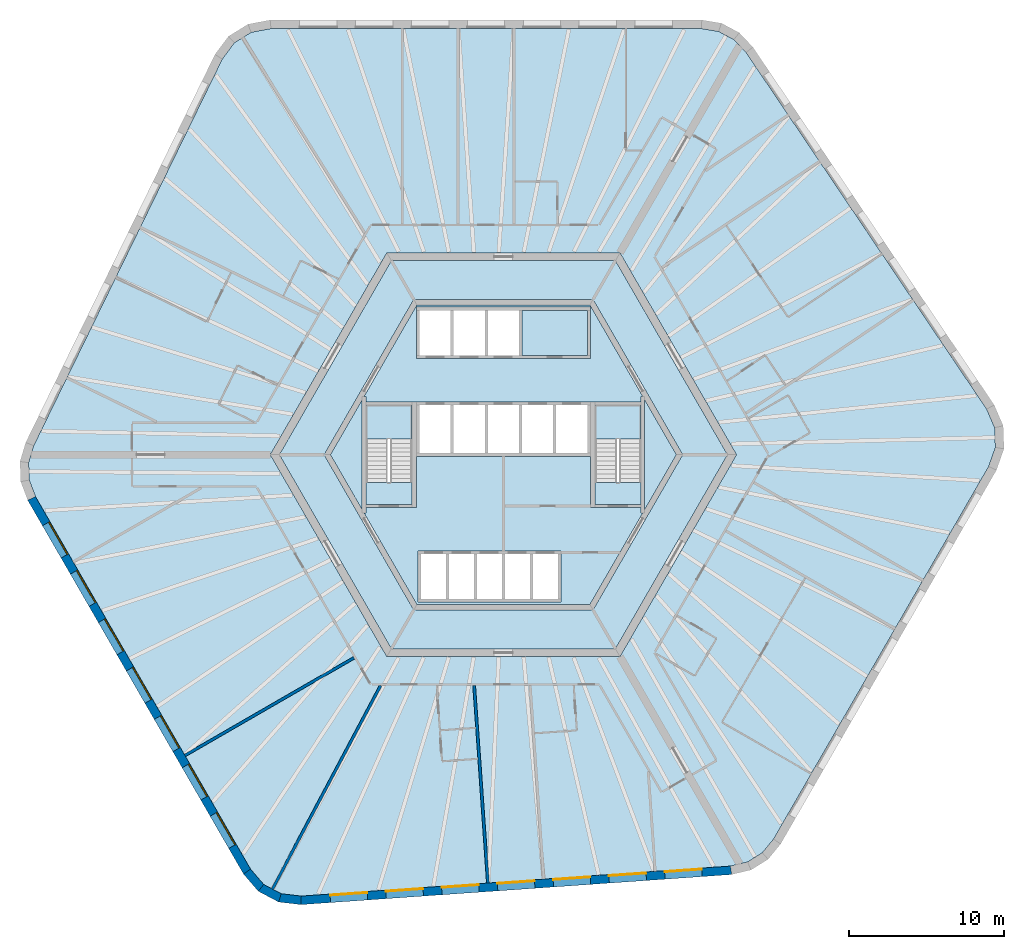
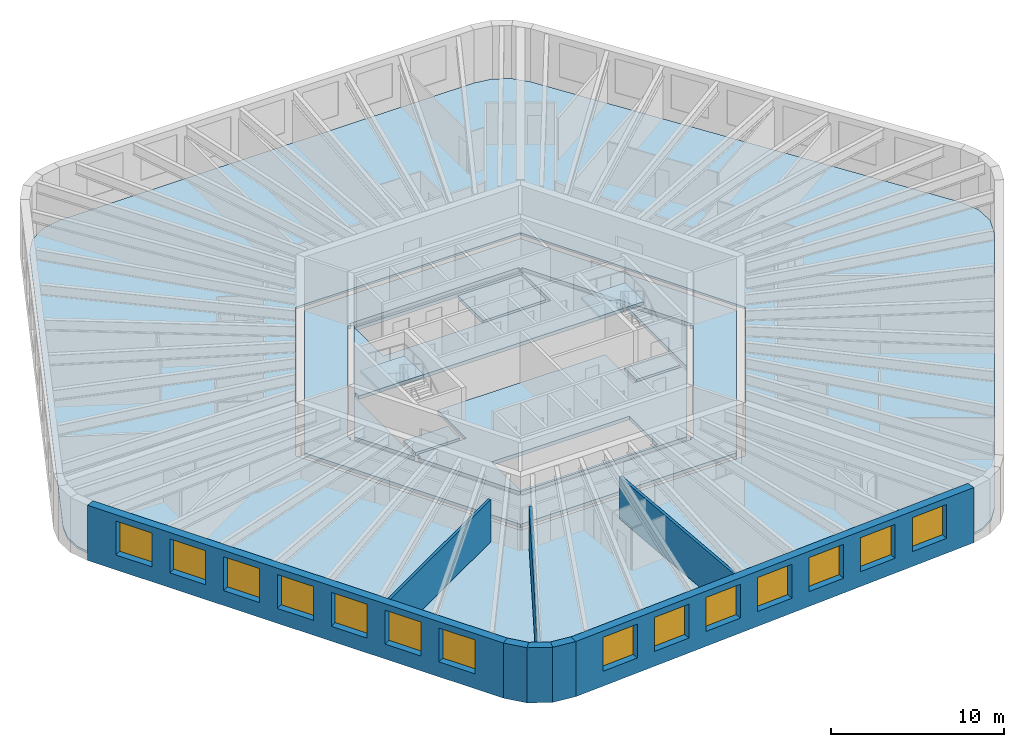
# One storey, part 2 of 9: 14 windows, 11 slabs, 8 walls, 14 openings, 2 elements without a shape of their own.
"""IFC4 building model written with IfcOpenShell, lengths in metres."""

import ifcopenshell
import ifcopenshell.guid

model = None  # the IFC model being written
_history = None  # IfcOwnerHistory: only IFC2X3 demands one
_inside = {}  # id of a spatial element -> (the spatial element, [elements in it])
_under = {}  # id of a project, library or spatial element -> (it, [spatial elements below it])
_declared = {}  # id of a project -> (the project, [libraries it declares])
_typed = {}  # id of a type object -> (the type object, [elements of that type])
_made_of = {}  # id of a material, layer set ... -> (it, [elements and type objects made of it])


def new_model(schema):
    """Start an empty IFC model of exactly this schema.

    Asked for "IFC4X3", IfcOpenShell would pick the latest addendum, in which some entities
    have other attributes; the version numbers below select the first issue.
    IFC2X3 requires an IfcOwnerHistory on every rooted entity: one is made here for all.
    """
    global model, _history
    if schema == "IFC4X3":
        model = ifcopenshell.file(schema_version=(4, 3, 0, 0))
    else:
        model = ifcopenshell.file(schema=schema)
    _inside.clear()
    _under.clear()
    _declared.clear()
    _typed.clear()
    _made_of.clear()
    _history = None
    if model.schema == "IFC2X3":
        org = make("IfcOrganization", Name="unknown")
        user = make(
            "IfcPersonAndOrganization",
            ThePerson=make("IfcPerson", FamilyName="unknown"),
            TheOrganization=org,
        )
        app = make(
            "IfcApplication",
            ApplicationDeveloper=org,
            Version="unknown",
            ApplicationFullName="unknown",
            ApplicationIdentifier="unknown",
        )
        _history = make(
            "IfcOwnerHistory",
            OwningUser=user,
            OwningApplication=app,
            ChangeAction="ADDED",
            CreationDate=0,
        )
    return model


def make(cls, **values):
    """One entity of the class cls with the attributes given. An attribute that is None is left unset."""
    return model.create_entity(
        cls, **{name: value for name, value in values.items() if value is not None}
    )


def rooted(cls, **values):
    """An entity with a GlobalId (a new one), such as an element, a storey or a relation."""
    return make(cls, GlobalId=ifcopenshell.guid.new(), OwnerHistory=_history, **values)


def si_unit(unit_type, name, prefix=None):
    """IfcSIUnit, for example si_unit("LENGTHUNIT", "METRE", prefix="MILLI")."""
    return make("IfcSIUnit", UnitType=unit_type, Prefix=prefix, Name=name)


def assignment(units):
    """IfcUnitAssignment: the units of a project."""
    return None if units is None else make("IfcUnitAssignment", Units=units)


def point(xyz):
    """IfcCartesianPoint."""
    return None if xyz is None else make("IfcCartesianPoint", Coordinates=xyz)


def direction(xyz):
    """IfcDirection."""
    return None if xyz is None else make("IfcDirection", DirectionRatios=xyz)


def frame(location, z_axis=None, x_axis=None):
    """IfcAxis2Placement3D, a coordinate frame: its origin and axes. An axis left out is left unset."""
    return make(
        "IfcAxis2Placement3D",
        Location=point(location),
        Axis=direction(z_axis),
        RefDirection=direction(x_axis),
    )


def frame_2d(location, x_axis=None):
    """IfcAxis2Placement2D, a coordinate frame in the plane: its origin and x axis."""
    return make(
        "IfcAxis2Placement2D", Location=point(location), RefDirection=direction(x_axis)
    )


def origin():
    """The frame at (0, 0, 0) with its axes left unset."""
    return frame((0.0, 0.0, 0.0))


def place(relative_to, where):
    """IfcLocalPlacement: puts the frame where relative to a parent placement (None: the world)."""
    return make(
        "IfcLocalPlacement", PlacementRelTo=relative_to, RelativePlacement=where
    )


def context(
    kind, dimensions, precision=None, world=None, true_north=None, identifier=None
):
    """IfcGeometricRepresentationContext, for example the 3D "Model" context."""
    return make(
        "IfcGeometricRepresentationContext",
        ContextIdentifier=identifier,
        ContextType=kind,
        CoordinateSpaceDimension=dimensions,
        Precision=precision,
        WorldCoordinateSystem=world,
        TrueNorth=true_north,
    )


def subcontext(parent, identifier, kind, view, scale=None):
    """IfcGeometricRepresentationSubContext, for example "Body" below "Model"."""
    return make(
        "IfcGeometricRepresentationSubContext",
        ContextIdentifier=identifier,
        ContextType=kind,
        ParentContext=parent,
        TargetScale=scale,
        TargetView=view,
    )


def project(units=None, contexts=None):
    """IfcProject with its units and contexts."""
    return rooted(
        "IfcProject",
        Name="project",
        RepresentationContexts=contexts,
        UnitsInContext=assignment(units),
    )


def spatial(cls, under=None, at=None, **own):
    """A site, building, storey or space (cls), placed at a placement, below another one or the project."""
    s = rooted(cls, ObjectPlacement=at, **own)
    if under is not None:
        _under.setdefault(under.id(), (under, []))[1].append(s)
    return s


def polyline(points):
    """IfcPolyline through the points."""
    return make("IfcPolyline", Points=[point(p) for p in points])


def profile(cls, at=None, kind="AREA", **sizes):
    """A parametric profile (cls). Its sizes go by their IFC names, for example OverallWidth=200.0."""
    return make(cls, ProfileType=kind, Position=at, **sizes)


def rectangle(**sizes):
    """IfcRectangleProfileDef."""
    return profile("IfcRectangleProfileDef", **sizes)


def outline(outer, holes=None, kind="AREA"):
    """IfcArbitraryClosedProfileDef: a profile drawn as a closed curve; with holes, ...WithVoids."""
    if holes is None:
        return make("IfcArbitraryClosedProfileDef", ProfileType=kind, OuterCurve=outer)
    return make(
        "IfcArbitraryProfileDefWithVoids",
        ProfileType=kind,
        OuterCurve=outer,
        InnerCurves=holes,
    )


def extrude(swept, where, along, depth):
    """IfcExtrudedAreaSolid: the profile swept, set in the frame where, extruded along a direction by depth."""
    return make(
        "IfcExtrudedAreaSolid",
        SweptArea=swept,
        Position=where,
        ExtrudedDirection=direction(along),
        Depth=depth,
    )


def shape(context_of_items, identifier, shape_type, items):
    """IfcShapeRepresentation: the items that make up one representation, for example the "Body"."""
    return make(
        "IfcShapeRepresentation",
        ContextOfItems=context_of_items,
        RepresentationIdentifier=identifier,
        RepresentationType=shape_type,
        Items=items,
    )


def material(Name=None, Category=None):
    """IfcMaterial."""
    return make("IfcMaterial", Name=Name, Category=Category)


def layer(
    of_material, thickness, ventilated=None, Name=None, Category=None, Priority=None
):
    """IfcMaterialLayer: one layer of a wall or slab, of a material (None: an air gap)."""
    return make(
        "IfcMaterialLayer",
        Material=of_material,
        LayerThickness=thickness,
        IsVentilated=ventilated,
        Name=Name,
        Category=Category,
        Priority=Priority,
    )


def layer_set(layers, Name=None):
    """IfcMaterialLayerSet."""
    return make("IfcMaterialLayerSet", MaterialLayers=layers, LayerSetName=Name)


def made_of(thing, what):
    """Note that an element or type object is made of a material, layer set ...; save() writes the relation."""
    if what is not None:
        _made_of.setdefault(what.id(), (what, []))[1].append(thing)
    return thing


def type_object(cls, material=None, **own):
    """A type object (cls), such as IfcWallType, which elements share."""
    return made_of(rooted(cls, **own), material)


def element(
    cls,
    number,
    at=None,
    inside=None,
    cuts=None,
    type_object=None,
    material=None,
    context=None,
    identifier="Body",
    shape_type=None,
    held_by="IfcProductDefinitionShape",
    body=None,
    shapes=None,
    **own,
):
    """One element of the class cls, such as IfcWall. Its Tag is "e" and its number.

    at: its placement. inside: the storey or other place that contains it. cuts: it is an
    opening in that element (IfcRelVoidsElement). A single representation is given by context,
    identifier, shape_type and body (its items); several are given by shapes. held_by: the class
    of the entity that holds the representations. save() writes the other relations.
    """
    e = rooted(cls, Tag="e%d" % number, ObjectPlacement=at, **own)
    if body is not None:
        shapes = [shape(context, identifier, shape_type, body)]
    if shapes is not None:
        e.Representation = make(held_by, Representations=shapes)
    if inside is not None:
        _inside.setdefault(inside.id(), (inside, []))[1].append(e)
    if cuts is not None:
        rooted(
            "IfcRelVoidsElement", RelatingBuildingElement=cuts, RelatedOpeningElement=e
        )
    if type_object is not None:
        _typed.setdefault(type_object.id(), (type_object, []))[1].append(e)
    return made_of(e, material)


def fill(opening, filler):
    """IfcRelFillsElement: the door or window that sits in an opening."""
    return rooted(
        "IfcRelFillsElement",
        RelatingOpeningElement=opening,
        RelatedBuildingElement=filler,
    )


def aggregate(whole, parts):
    """IfcRelAggregates: a whole, such as a stair, and the parts it consists of."""
    return rooted("IfcRelAggregates", RelatingObject=whole, RelatedObjects=parts)


def save(model, path):
    """Write the relations noted so far, then the file.

    IfcRelAggregates (storeys below a building ...), IfcRelContainedInSpatialStructure (elements
    in a storey), IfcRelDefinesByType, IfcRelAssociatesMaterial and IfcRelDeclares: one each for
    every whole, place, type object, material and project.
    """
    for whole, parts in _under.values():
        aggregate(whole, parts)
    for where, things in _inside.values():
        rooted(
            "IfcRelContainedInSpatialStructure",
            RelatedElements=things,
            RelatingStructure=where,
        )
    for kind, things in _typed.values():
        rooted("IfcRelDefinesByType", RelatedObjects=things, RelatingType=kind)
    for what, things in _made_of.values():
        rooted("IfcRelAssociatesMaterial", RelatedObjects=things, RelatingMaterial=what)
    for by, libraries in _declared.values():
        rooted("IfcRelDeclares", RelatingContext=by, RelatedDefinitions=libraries)
    model.write(path)


model = new_model("IFC4")

# Units and contexts
model_context = context("Model", 3, precision=1e-05, world=origin(), true_north=direction((0.0, 1.0)))
body_context = subcontext(model_context, "Body", "Model", "MODEL_VIEW")
ifc_project = project(units=[si_unit("LENGTHUNIT", "METRE"), si_unit("AREAUNIT", "SQUARE_METRE"), si_unit("VOLUMEUNIT", "CUBIC_METRE"), si_unit("PLANEANGLEUNIT", "RADIAN"), si_unit("MASSUNIT", "GRAM", prefix="KILO")], contexts=[model_context])

# Site, building, storey
site_placement = place(None, origin())
site = spatial("IfcSite", under=ifc_project, at=site_placement, CompositionType="ELEMENT")
building_placement = place(site_placement, origin())
building = spatial("IfcBuilding", under=site, at=building_placement, Name="Tarnside Tower", CompositionType="ELEMENT")
storey_placement = place(building_placement, frame((0.0, 0.0, 219.0)))
storey = spatial("IfcBuildingStorey", under=building, at=storey_placement, Name="L52", CompositionType="ELEMENT", Elevation=219.0)

# Slabs
ifc_material_1 = material(Name="Concrete C35/45", Category="concrete")
ifc_layer_1 = layer(ifc_material_1, 0.14990234375)
ifc_layer_set_1 = layer_set([ifc_layer_1], Name="Composite floor slab 150")
slab_type_1 = type_object("IfcSlabType", Name="Composite floor slab 150", PredefinedType="FLOOR", material=ifc_layer_set_1)
slab_1_placement = place(storey_placement, frame((0.0, 0.0, -0.14990234375)))
element("IfcSlab", 1, at=slab_1_placement, inside=storey, type_object=slab_type_1, Name="Floor slab L52", PredefinedType="FLOOR", context=body_context, shape_type="SweptSolid", body=[
    extrude(outline(polyline([(13.864013671875, 27.264892578125), (14.85107421875, 26.740234375), (15.6337890625, 25.91064453125), (31.12890625, 2.938232421875), (31.644287109375, 1.7431640625), (31.68896484375, 0.468505859375), (31.258056640625, -0.759521484375), (17.403076171875, -24.7568359375), (16.68017578125, -25.63916015625), (15.732177734375, -26.2314453125), (14.622314453125, -26.494384765625), (-13.02001953125, -28.427490234375), (-14.3125, -28.2763671875), (-15.438720703125, -27.677490234375), (-16.286865234375, -26.6904296875), (-30.1416015625, -2.693115234375), (-30.544189453125, -1.6259765625), (-30.583251953125, -0.5087890625), (-30.256103515625, 0.583984375), (-18.10888671875, 25.4892578125), (-17.331787109375, 26.533203125), (-16.250244140625, 27.208984375), (-14.97119140625, 27.449951171875), (12.738525390625, 27.449951171875), (13.864013671875, 27.264892578125)]), holes=[polyline([(-15.010986328125, 0.0), (-7.505615234375, -13.0), (7.505615234375, -13.0), (15.010986328125, 0.0), (7.505615234375, 13.0), (-7.505615234375, 13.0), (-15.010986328125, 0.0)])]), origin(), (0.0, 0.0, 1.0), 0.14990234375),
])
ifc_material_2 = material(Name="Concrete C40/50", Category="concrete")
ifc_layer_2 = layer(ifc_material_2, 0.25)
ifc_layer_set_2 = layer_set([ifc_layer_2], Name="Core slab C40/50")
slab_type_2 = type_object("IfcSlabType", Name="Core slab C40/50", PredefinedType="FLOOR", material=ifc_layer_set_2)
slab_2_placement = place(storey_placement, frame((0.0, 0.0, -0.25)))
element("IfcSlab", 2, at=slab_2_placement, inside=storey, type_object=slab_type_2, Name="L52 core floor slab 1", PredefinedType="FLOOR", context=body_context, shape_type="SweptSolid", body=[
    extrude(outline(polyline([(-7.216796875, 12.5), (7.216796875, 12.5), (14.433837890625, 0.0), (7.216796875, -12.5), (-7.216796875, -12.5), (-14.433837890625, 0.0), (-7.216796875, 12.5)]), holes=[polyline([(5.823974609375, -9.91259765625), (11.49658203125, -0.08740234375), (11.344970703125, 0.0), (11.49658203125, 0.08740234375), (5.823974609375, 9.91259765625), (5.672607421875, 9.824951171875), (5.672607421875, 10.0), (-5.672607421875, 10.0), (-5.672607421875, 9.824951171875), (-5.823974609375, 9.91259765625), (-11.49658203125, 0.08740234375), (-11.344970703125, 0.0), (-11.49658203125, -0.08740234375), (-5.823974609375, -9.91259765625), (-5.672607421875, -9.824951171875), (-5.672607421875, -10.0), (5.672607421875, -10.0), (5.672607421875, -9.824951171875), (5.823974609375, -9.91259765625)])]), origin(), (0.0, 0.0, 1.0), 0.25),
])
slab_3_placement = place(storey_placement, frame((0.0, 0.0, -0.25)))
element("IfcSlab", 3, at=slab_3_placement, inside=storey, type_object=slab_type_2, Name="L52 core floor slab 2", PredefinedType="FLOOR", context=body_context, shape_type="SweptSolid", body=[
    extrude(outline(polyline([(-8.97509765625, 3.7548828125), (-5.5712890625, 9.64990234375), (5.5712890625, 9.64990234375), (8.97509765625, 3.7548828125), (8.85009765625, 3.7548828125), (8.85009765625, 3.39990234375), (5.89990234375, 3.39990234375), (5.60009765625, 3.39990234375), (5.60009765625, 3.39990234375), (-5.60009765625, 3.39990234375), (-5.89990234375, 3.39990234375), (-8.85009765625, 3.39990234375), (-8.85009765625, 3.7548828125), (-8.97509765625, 3.7548828125)]), holes=[polyline([(-5.60009765625, 6.199951171875), (5.60009765625, 6.199951171875), (5.60009765625, 6.39990234375), (5.60009765625, 9.300048828125), (5.60009765625, 9.5), (-5.60009765625, 9.5), (-5.60009765625, 9.300048828125), (-5.60009765625, 6.39990234375), (-5.60009765625, 6.199951171875)])]), origin(), (0.0, 0.0, 1.0), 0.25),
])
slab_4_placement = place(storey_placement, frame((0.0, 0.0, -0.25)))
element("IfcSlab", 4, at=slab_4_placement, inside=storey, type_object=slab_type_2, Name="L52 core floor slab 3", PredefinedType="FLOOR", context=body_context, shape_type="SweptSolid", body=[
    extrude(outline(polyline([(5.60009765625, -3.39990234375), (5.89990234375, -3.39990234375), (8.85009765625, -3.39990234375), (8.85009765625, -3.7548828125), (8.97509765625, -3.7548828125), (5.5712890625, -9.64990234375), (-5.5712890625, -9.64990234375), (-8.97509765625, -3.7548828125), (-8.85009765625, -3.7548828125), (-8.85009765625, -3.39990234375), (-5.89990234375, -3.39990234375), (-5.60009765625, -3.39990234375), (-5.60009765625, -0.10009765625), (5.60009765625, -0.10009765625), (5.60009765625, -3.39990234375)]), holes=[polyline([(-5.5, -9.300048828125), (-5.5, -9.5), (3.699951171875, -9.5), (3.699951171875, -9.300048828125), (3.699951171875, -6.39990234375), (3.699951171875, -6.199951171875), (-5.5, -6.199951171875), (-5.5, -6.39990234375), (-5.5, -9.300048828125)])]), origin(), (0.0, 0.0, 1.0), 0.25),
])
slab_5_placement = place(storey_placement, frame((0.0, 0.0, -0.25)))
element("IfcSlab", 5, at=slab_5_placement, inside=storey, type_object=slab_type_2, Name="L52 core floor slab 4", PredefinedType="FLOOR", context=body_context, shape_type="SweptSolid", body=[
    extrude(outline(polyline([(-11.142822265625, 0.0), (-9.10009765625, 3.538330078125), (-9.10009765625, -3.538330078125), (-11.142822265625, 0.0)])), origin(), (0.0, 0.0, 1.0), 0.25),
])
slab_6_placement = place(storey_placement, frame((0.0, 0.0, -0.25)))
element("IfcSlab", 6, at=slab_6_placement, inside=storey, type_object=slab_type_2, Name="L52 core floor slab 5", PredefinedType="FLOOR", context=body_context, shape_type="SweptSolid", body=[
    extrude(outline(polyline([(-8.85009765625, -1.800048828125), (-5.89990234375, -1.800048828125), (-5.89990234375, -3.199951171875), (-8.85009765625, -3.199951171875), (-8.85009765625, -1.800048828125)])), origin(), (0.0, 0.0, 1.0), 0.25),
])
slab_7_placement = place(storey_placement, frame((0.0, 0.0, -0.25)))
element("IfcSlab", 7, at=slab_7_placement, inside=storey, type_object=slab_type_2, Name="L52 core floor slab 6", PredefinedType="FLOOR", context=body_context, shape_type="SweptSolid", body=[
    extrude(outline(polyline([(5.89990234375, -3.199951171875), (5.89990234375, -1.800048828125), (8.85009765625, -1.800048828125), (8.85009765625, -3.199951171875), (5.89990234375, -3.199951171875)])), origin(), (0.0, 0.0, 1.0), 0.25),
])
slab_8_placement = place(storey_placement, frame((0.0, 0.0, -0.25)))
element("IfcSlab", 8, at=slab_8_placement, inside=storey, type_object=slab_type_2, Name="L52 core floor slab 7", PredefinedType="FLOOR", context=body_context, shape_type="SweptSolid", body=[
    extrude(outline(polyline([(9.10009765625, -3.538330078125), (9.10009765625, 3.538330078125), (11.142822265625, 0.0), (9.10009765625, -3.538330078125)])), origin(), (0.0, 0.0, 1.0), 0.25),
])
slab_9_placement = place(storey_placement, frame((0.0, 0.0, -0.25)))
element("IfcSlab", 9, at=slab_9_placement, inside=storey, type_object=slab_type_2, Name="L52 core floor slab 8", PredefinedType="FLOOR", context=body_context, shape_type="SweptSolid", body=[
    extrude(outline(polyline([(5.39990234375, 9.300048828125), (5.39990234375, 6.39990234375), (1.199951171875, 6.39990234375), (1.199951171875, 9.300048828125), (5.39990234375, 9.300048828125)])), origin(), (0.0, 0.0, 1.0), 0.25),
])

# Stair, slab
stair_type = type_object("IfcStairType", Name="Exit stair 1400 clear", PredefinedType="HALF_TURN_STAIR", material=ifc_material_2)
stair_1_placement = place(storey_placement, origin())
stair_1 = element("IfcStair", 10, at=stair_1_placement, inside=storey, type_object=stair_type, Name="L52 Exit stair 1", PredefinedType="HALF_TURN_STAIR")
ifc_layer_3 = layer(ifc_material_2, 0.199951171875)
ifc_layer_set_3 = layer_set([ifc_layer_3], Name="Stair landing 200 C40/50")
slab_type_3 = type_object("IfcSlabType", Name="Stair landing 200 C40/50", PredefinedType="LANDING", material=ifc_layer_set_3)
slab_10_placement = place(storey_placement, frame((0.0, 0.0, 1.75)))
slab_10 = element("IfcSlab", 11, at=slab_10_placement, type_object=slab_type_3, Name="ST1 landing 1", PredefinedType="LANDING", context=body_context, shape_type="SweptSolid", body=[
    extrude(outline(polyline([(8.85009765625, 1.0), (8.85009765625, 3.199951171875), (5.89990234375, 3.199951171875), (5.89990234375, 1.0), (8.85009765625, 1.0)])), origin(), (0.0, 0.0, 1.0), 0.199951171875),
])
aggregate(stair_1, [slab_10])

stair_2_placement = place(storey_placement, origin())
stair_2 = element("IfcStair", 12, at=stair_2_placement, inside=storey, type_object=stair_type, Name="L52 Exit stair 2", PredefinedType="HALF_TURN_STAIR")
slab_11_placement = place(storey_placement, frame((0.0, 0.0, 1.75)))
slab_11 = element("IfcSlab", 13, at=slab_11_placement, type_object=slab_type_3, Name="ST2 landing 1", PredefinedType="LANDING", context=body_context, shape_type="SweptSolid", body=[
    extrude(outline(polyline([(-5.89990234375, 1.0), (-5.89990234375, 3.199951171875), (-8.85009765625, 3.199951171875), (-8.85009765625, 1.0), (-5.89990234375, 1.0)])), origin(), (0.0, 0.0, 1.0), 0.199951171875),
])
aggregate(stair_2, [slab_11])

# Walls
ifc_material_3 = material(Name="Gypsum board partition on steel studs", Category="steel")
ifc_layer_4 = layer(ifc_material_3, 0.179931640625)
ifc_layer_set_4 = layer_set([ifc_layer_4], Name="Demising wall 180 EI 60")
wall_type_1 = type_object("IfcWallType", Name="Demising wall 180 EI 60", PredefinedType="PARTITIONING", material=ifc_layer_set_4)
wall_1_placement = place(storey_placement, frame((-20.513427734375, -19.36962890625, 0.0), z_axis=(0.0, 0.0, 1.0), x_axis=(0.866019402111, 0.500010395058, 0.0)))
element("IfcWall", 14, at=wall_1_placement, inside=storey, type_object=wall_type_1, Name="Demising wall 17067", PredefinedType="PARTITIONING", context=body_context, shape_type="SweptSolid", body=[
    extrude(rectangle(XDim=12.574951171875, YDim=0.179931640625, at=frame_2d((6.28759765625, 0.0))), origin(), (0.0, 0.0, 1.0), 2.98779296875),
])
wall_2_placement = place(storey_placement, frame((-14.875732421875, -27.97705078125, 0.0), z_axis=(0.0, 0.0, 1.0), x_axis=(0.469475175214, 0.882945672088, 0.0)))
element("IfcWall", 15, at=wall_2_placement, inside=storey, type_object=wall_type_1, Name="Demising wall 17068", PredefinedType="PARTITIONING", context=body_context, shape_type="SweptSolid", body=[
    extrude(rectangle(XDim=14.839111328125, YDim=0.179931640625, at=frame_2d((7.41943359375, 0.0))), origin(), (0.0, 0.0, 1.0), 2.98779296875),
])
wall_3_placement = place(storey_placement, frame((-0.99609375, -27.586669921875, 0.0), z_axis=(0.0, 0.0, 1.0), x_axis=(-0.069758774678, 0.99756388936, 0.0)))
element("IfcWall", 16, at=wall_3_placement, inside=storey, type_object=wall_type_1, Name="Demising wall 17072", PredefinedType="PARTITIONING", context=body_context, shape_type="SweptSolid", body=[
    extrude(rectangle(XDim=12.74267578125, YDim=0.179931640625, at=frame_2d((6.371337890625, 0.0))), origin(), (0.0, 0.0, 1.0), 2.98779296875),
])

# Wall, openings, windows
ifc_material_4 = material(Name="Facing brick", Category="masonry")
ifc_layer_5 = layer(ifc_material_4, 0.10205078125)
ifc_material_5 = material(Name="Concrete C60/75 precast", Category="concrete")
ifc_layer_6 = layer(ifc_material_5, 0.347900390625)
ifc_material_6 = material(Name="Mineral wool insulation")
ifc_layer_7 = layer(ifc_material_6, 0.10009765625)
ifc_layer_set_5 = layer_set([ifc_layer_5, ifc_layer_6, ifc_layer_7], Name="Tube wall 550 brick faced")
wall_type_2 = type_object("IfcWallType", Name="Tube wall 550 brick faced", PredefinedType="SOLIDWALL", material=ifc_layer_set_5)
wall_4_placement = place(storey_placement, frame((-30.39111328125, -2.81103515625, -0.14990234375), z_axis=(0.0, 0.0, 1.0), x_axis=(0.499998569178, -0.866026229868, 0.0)))
wall_4 = element("IfcWall", 17, at=wall_4_placement, inside=storey, type_object=wall_type_2, Name="Tube wall L52 F3 flush 08", PredefinedType="SOLIDWALL", context=body_context, shape_type="SweptSolid", body=[
    extrude(outline(polyline([(-0.0224609375, -0.27490234375), (27.783447265625, -0.27490234375), (27.732177734375, 0.27490234375), (0.0224609375, 0.27490234375), (-0.0224609375, -0.27490234375)])), origin(), (0.0, 0.0, 1.0), 3.89990234375),
])
opening_1_placement = place(wall_4_placement, frame((1.87890625, 0.0, 1.050048828125)))
opening_1 = element("IfcOpeningElement", 18, at=opening_1_placement, cuts=wall_4, Name="Opening WH", PredefinedType="OPENING", context=body_context, shape_type="SweptSolid", body=[
    extrude(rectangle(XDim=2.39990234375, YDim=2.39990234375, at=frame_2d((1.199951171875, 1.199951171875))), frame((0.0, 0.28515625, 0.0), z_axis=(0.0, -1.0, 0.0), x_axis=(1.0, 0.0, 0.0)), (0.0, 0.0, 1.0), 0.570068359375),
])
opening_2_placement = place(wall_4_placement, frame((5.47900390625, 0.0, 1.050048828125)))
opening_2 = element("IfcOpeningElement", 19, at=opening_2_placement, cuts=wall_4, Name="Opening WH", PredefinedType="OPENING", context=body_context, shape_type="SweptSolid", body=[
    extrude(rectangle(XDim=2.39990234375, YDim=2.39990234375, at=frame_2d((1.199951171875, 1.199951171875))), frame((0.0, 0.28515625, 0.0), z_axis=(0.0, -1.0, 0.0), x_axis=(1.0, 0.0, 0.0)), (0.0, 0.0, 1.0), 0.570068359375),
])
opening_3_placement = place(wall_4_placement, frame((9.078857421875, 0.0, 1.050048828125)))
opening_3 = element("IfcOpeningElement", 20, at=opening_3_placement, cuts=wall_4, Name="Opening WH", PredefinedType="OPENING", context=body_context, shape_type="SweptSolid", body=[
    extrude(rectangle(XDim=2.39990234375, YDim=2.39990234375, at=frame_2d((1.199951171875, 1.199951171875))), frame((0.0, 0.28515625, 0.0), z_axis=(0.0, -1.0, 0.0), x_axis=(1.0, 0.0, 0.0)), (0.0, 0.0, 1.0), 0.570068359375),
])
opening_4_placement = place(wall_4_placement, frame((12.678955078125, 0.0, 1.050048828125)))
opening_4 = element("IfcOpeningElement", 21, at=opening_4_placement, cuts=wall_4, Name="Opening WH", PredefinedType="OPENING", context=body_context, shape_type="SweptSolid", body=[
    extrude(rectangle(XDim=2.39990234375, YDim=2.39990234375, at=frame_2d((1.199951171875, 1.199951171875))), frame((0.0, 0.28515625, 0.0), z_axis=(0.0, -1.0, 0.0), x_axis=(1.0, 0.0, 0.0)), (0.0, 0.0, 1.0), 0.570068359375),
])
opening_5_placement = place(wall_4_placement, frame((16.27880859375, 0.0, 1.050048828125)))
opening_5 = element("IfcOpeningElement", 22, at=opening_5_placement, cuts=wall_4, Name="Opening WH", PredefinedType="OPENING", context=body_context, shape_type="SweptSolid", body=[
    extrude(rectangle(XDim=2.39990234375, YDim=2.39990234375, at=frame_2d((1.199951171875, 1.199951171875))), frame((0.0, 0.28515625, 0.0), z_axis=(0.0, -1.0, 0.0), x_axis=(1.0, 0.0, 0.0)), (0.0, 0.0, 1.0), 0.570068359375),
])
opening_6_placement = place(wall_4_placement, frame((19.87890625, 0.0, 1.050048828125)))
opening_6 = element("IfcOpeningElement", 23, at=opening_6_placement, cuts=wall_4, Name="Opening WH", PredefinedType="OPENING", context=body_context, shape_type="SweptSolid", body=[
    extrude(rectangle(XDim=2.39990234375, YDim=2.39990234375, at=frame_2d((1.199951171875, 1.199951171875))), frame((0.0, 0.28515625, 0.0), z_axis=(0.0, -1.0, 0.0), x_axis=(1.0, 0.0, 0.0)), (0.0, 0.0, 1.0), 0.570068359375),
])
opening_7_placement = place(wall_4_placement, frame((23.47900390625, 0.0, 1.050048828125)))
opening_7 = element("IfcOpeningElement", 24, at=opening_7_placement, cuts=wall_4, Name="Opening WH", PredefinedType="OPENING", context=body_context, shape_type="SweptSolid", body=[
    extrude(rectangle(XDim=2.39990234375, YDim=2.39990234375, at=frame_2d((1.199951171875, 1.199951171875))), frame((0.0, 0.28515625, 0.0), z_axis=(0.0, -1.0, 0.0), x_axis=(1.0, 0.0, 0.0)), (0.0, 0.0, 1.0), 0.570068359375),
])
ifc_material_7 = material(Name="Aluminium-framed double glazing", Category="aluminium")
window_type = type_object("IfcWindowType", Name="Hotel window 2400 x 2400", PartitioningType="DOUBLE_PANEL_VERTICAL", PredefinedType="WINDOW", material=ifc_material_7)
window_1_placement = place(opening_1_placement, frame((0.0, 0.205078125, 0.0)))
window_1 = element("IfcWindow", 25, at=window_1_placement, inside=storey, type_object=window_type, Name="E.WN.L52.F3.00", OverallHeight=2.39990234375, OverallWidth=2.39990234375, PartitioningType="DOUBLE_PANEL_VERTICAL", PredefinedType="WINDOW", context=body_context, shape_type="SweptSolid", body=[
    extrude(rectangle(XDim=2.39990234375, YDim=2.39990234375, at=frame_2d((1.199951171875, 1.199951171875))), frame((0.0, 0.030029296875, 0.0), z_axis=(0.0, -1.0, 0.0), x_axis=(1.0, 0.0, 0.0)), (0.0, 0.0, 1.0), 0.06005859375),
])
fill(opening_1, window_1)
window_2_placement = place(opening_2_placement, frame((0.0, 0.205078125, 0.0)))
window_2 = element("IfcWindow", 26, at=window_2_placement, inside=storey, type_object=window_type, Name="E.WN.L52.F3.01", OverallHeight=2.39990234375, OverallWidth=2.39990234375, PartitioningType="DOUBLE_PANEL_VERTICAL", PredefinedType="WINDOW", context=body_context, shape_type="SweptSolid", body=[
    extrude(rectangle(XDim=2.39990234375, YDim=2.39990234375, at=frame_2d((1.199951171875, 1.199951171875))), frame((0.0, 0.030029296875, 0.0), z_axis=(0.0, -1.0, 0.0), x_axis=(1.0, 0.0, 0.0)), (0.0, 0.0, 1.0), 0.06005859375),
])
fill(opening_2, window_2)
window_3_placement = place(opening_3_placement, frame((0.0, 0.205078125, 0.0)))
window_3 = element("IfcWindow", 27, at=window_3_placement, inside=storey, type_object=window_type, Name="E.WN.L52.F3.02", OverallHeight=2.39990234375, OverallWidth=2.39990234375, PartitioningType="DOUBLE_PANEL_VERTICAL", PredefinedType="WINDOW", context=body_context, shape_type="SweptSolid", body=[
    extrude(rectangle(XDim=2.39990234375, YDim=2.39990234375, at=frame_2d((1.199951171875, 1.199951171875))), frame((0.0, 0.030029296875, 0.0), z_axis=(0.0, -1.0, 0.0), x_axis=(1.0, 0.0, 0.0)), (0.0, 0.0, 1.0), 0.06005859375),
])
fill(opening_3, window_3)
window_4_placement = place(opening_4_placement, frame((0.0, 0.205078125, 0.0)))
window_4 = element("IfcWindow", 28, at=window_4_placement, inside=storey, type_object=window_type, Name="E.WN.L52.F3.03", OverallHeight=2.39990234375, OverallWidth=2.39990234375, PartitioningType="DOUBLE_PANEL_VERTICAL", PredefinedType="WINDOW", context=body_context, shape_type="SweptSolid", body=[
    extrude(rectangle(XDim=2.39990234375, YDim=2.39990234375, at=frame_2d((1.199951171875, 1.199951171875))), frame((0.0, 0.030029296875, 0.0), z_axis=(0.0, -1.0, 0.0), x_axis=(1.0, 0.0, 0.0)), (0.0, 0.0, 1.0), 0.06005859375),
])
fill(opening_4, window_4)
window_5_placement = place(opening_5_placement, frame((0.0, 0.205078125, 0.0)))
window_5 = element("IfcWindow", 29, at=window_5_placement, inside=storey, type_object=window_type, Name="E.WN.L52.F3.04", OverallHeight=2.39990234375, OverallWidth=2.39990234375, PartitioningType="DOUBLE_PANEL_VERTICAL", PredefinedType="WINDOW", context=body_context, shape_type="SweptSolid", body=[
    extrude(rectangle(XDim=2.39990234375, YDim=2.39990234375, at=frame_2d((1.199951171875, 1.199951171875))), frame((0.0, 0.030029296875, 0.0), z_axis=(0.0, -1.0, 0.0), x_axis=(1.0, 0.0, 0.0)), (0.0, 0.0, 1.0), 0.06005859375),
])
fill(opening_5, window_5)
window_6_placement = place(opening_6_placement, frame((0.0, 0.205078125, 0.0)))
window_6 = element("IfcWindow", 30, at=window_6_placement, inside=storey, type_object=window_type, Name="E.WN.L52.F3.05", OverallHeight=2.39990234375, OverallWidth=2.39990234375, PartitioningType="DOUBLE_PANEL_VERTICAL", PredefinedType="WINDOW", context=body_context, shape_type="SweptSolid", body=[
    extrude(rectangle(XDim=2.39990234375, YDim=2.39990234375, at=frame_2d((1.199951171875, 1.199951171875))), frame((0.0, 0.030029296875, 0.0), z_axis=(0.0, -1.0, 0.0), x_axis=(1.0, 0.0, 0.0)), (0.0, 0.0, 1.0), 0.06005859375),
])
fill(opening_6, window_6)
window_7_placement = place(opening_7_placement, frame((0.0, 0.205078125, 0.0)))
window_7 = element("IfcWindow", 31, at=window_7_placement, inside=storey, type_object=window_type, Name="E.WN.L52.F3.06", OverallHeight=2.39990234375, OverallWidth=2.39990234375, PartitioningType="DOUBLE_PANEL_VERTICAL", PredefinedType="WINDOW", context=body_context, shape_type="SweptSolid", body=[
    extrude(rectangle(XDim=2.39990234375, YDim=2.39990234375, at=frame_2d((1.199951171875, 1.199951171875))), frame((0.0, 0.030029296875, 0.0), z_axis=(0.0, -1.0, 0.0), x_axis=(1.0, 0.0, 0.0)), (0.0, 0.0, 1.0), 0.06005859375),
])
fill(opening_7, window_7)

# Walls
wall_5_placement = place(storey_placement, frame((-16.51220703125, -26.85009765625, -0.14990234375), z_axis=(0.0, 0.0, 1.0), x_axis=(0.651621950847, -0.758543890078, 0.0)))
element("IfcWall", 32, at=wall_5_placement, inside=storey, type_object=wall_type_2, Name="Tube wall L52 F3 chord 09", PredefinedType="SOLIDWALL", context=body_context, shape_type="SweptSolid", body=[
    extrude(outline(polyline([(-0.025634765625, -0.27490234375), (1.430908203125, -0.27490234375), (1.327392578125, 0.27490234375), (0.025634765625, 0.27490234375), (-0.025634765625, -0.27490234375)])), origin(), (0.0, 0.0, 1.0), 3.89990234375),
])
wall_6_placement = place(storey_placement, frame((-15.613525390625, -27.896240234375, -0.14990234375), z_axis=(0.0, 0.0, 1.0), x_axis=(0.882994189209, -0.469383917304, 0.0)))
element("IfcWall", 33, at=wall_6_placement, inside=storey, type_object=wall_type_2, Name="Tube wall L52 F3 chord 10", PredefinedType="SOLIDWALL", context=body_context, shape_type="SweptSolid", body=[
    extrude(outline(polyline([(-0.0517578125, -0.27490234375), (1.4306640625, -0.27490234375), (1.3271484375, 0.27490234375), (0.0517578125, 0.27490234375), (-0.0517578125, -0.27490234375)])), origin(), (0.0, 0.0, 1.0), 3.89990234375),
])
wall_7_placement = place(storey_placement, frame((-14.39599609375, -28.54345703125, -0.14990234375), z_axis=(0.0, 0.0, 1.0), x_axis=(0.993232537394, -0.11614269956, 0.0)))
element("IfcWall", 34, at=wall_7_placement, inside=storey, type_object=wall_type_2, Name="Tube wall L52 F3 chord 11", PredefinedType="SOLIDWALL", context=body_context, shape_type="SweptSolid", body=[
    extrude(outline(polyline([(-0.0517578125, -0.27490234375), (1.404541015625, -0.27490234375), (1.353271484375, 0.27490234375), (0.0517578125, 0.27490234375), (-0.0517578125, -0.27490234375)])), origin(), (0.0, 0.0, 1.0), 3.89990234375),
])

# Wall, openings, windows
wall_8_placement = place(storey_placement, frame((-13.0263671875, -28.70361328125, -0.14990234375), z_axis=(0.0, 0.0, 1.0), x_axis=(0.99756406806, 0.069756219185, 0.0)))
wall_8 = element("IfcWall", 35, at=wall_8_placement, inside=storey, type_object=wall_type_2, Name="Tube wall L52 F4 flush 12", PredefinedType="SOLIDWALL", context=body_context, shape_type="SweptSolid", body=[
    extrude(outline(polyline([(-0.025634765625, -0.27490234375), (27.7802734375, -0.27490234375), (27.7353515625, 0.27490234375), (0.025634765625, 0.27490234375), (-0.025634765625, -0.27490234375)])), origin(), (0.0, 0.0, 1.0), 3.89990234375),
])
opening_8_placement = place(wall_8_placement, frame((1.87890625, 0.0, 1.050048828125)))
opening_8 = element("IfcOpeningElement", 36, at=opening_8_placement, cuts=wall_8, Name="Opening WH", PredefinedType="OPENING", context=body_context, shape_type="SweptSolid", body=[
    extrude(rectangle(XDim=2.39990234375, YDim=2.39990234375, at=frame_2d((1.199951171875, 1.199951171875))), frame((0.0, 0.28515625, 0.0), z_axis=(0.0, -1.0, 0.0), x_axis=(1.0, 0.0, 0.0)), (0.0, 0.0, 1.0), 0.570068359375),
])
opening_9_placement = place(wall_8_placement, frame((5.47900390625, 0.0, 1.050048828125)))
opening_9 = element("IfcOpeningElement", 37, at=opening_9_placement, cuts=wall_8, Name="Opening WH", PredefinedType="OPENING", context=body_context, shape_type="SweptSolid", body=[
    extrude(rectangle(XDim=2.39990234375, YDim=2.39990234375, at=frame_2d((1.199951171875, 1.199951171875))), frame((0.0, 0.28515625, 0.0), z_axis=(0.0, -1.0, 0.0), x_axis=(1.0, 0.0, 0.0)), (0.0, 0.0, 1.0), 0.570068359375),
])
opening_10_placement = place(wall_8_placement, frame((9.078857421875, 0.0, 1.050048828125)))
opening_10 = element("IfcOpeningElement", 38, at=opening_10_placement, cuts=wall_8, Name="Opening WH", PredefinedType="OPENING", context=body_context, shape_type="SweptSolid", body=[
    extrude(rectangle(XDim=2.39990234375, YDim=2.39990234375, at=frame_2d((1.199951171875, 1.199951171875))), frame((0.0, 0.28515625, 0.0), z_axis=(0.0, -1.0, 0.0), x_axis=(1.0, 0.0, 0.0)), (0.0, 0.0, 1.0), 0.570068359375),
])
opening_11_placement = place(wall_8_placement, frame((12.678955078125, 0.0, 1.050048828125)))
opening_11 = element("IfcOpeningElement", 39, at=opening_11_placement, cuts=wall_8, Name="Opening WH", PredefinedType="OPENING", context=body_context, shape_type="SweptSolid", body=[
    extrude(rectangle(XDim=2.39990234375, YDim=2.39990234375, at=frame_2d((1.199951171875, 1.199951171875))), frame((0.0, 0.28515625, 0.0), z_axis=(0.0, -1.0, 0.0), x_axis=(1.0, 0.0, 0.0)), (0.0, 0.0, 1.0), 0.570068359375),
])
opening_12_placement = place(wall_8_placement, frame((16.27880859375, 0.0, 1.050048828125)))
opening_12 = element("IfcOpeningElement", 40, at=opening_12_placement, cuts=wall_8, Name="Opening WH", PredefinedType="OPENING", context=body_context, shape_type="SweptSolid", body=[
    extrude(rectangle(XDim=2.39990234375, YDim=2.39990234375, at=frame_2d((1.199951171875, 1.199951171875))), frame((0.0, 0.28515625, 0.0), z_axis=(0.0, -1.0, 0.0), x_axis=(1.0, 0.0, 0.0)), (0.0, 0.0, 1.0), 0.570068359375),
])
opening_13_placement = place(wall_8_placement, frame((19.87890625, 0.0, 1.050048828125)))
opening_13 = element("IfcOpeningElement", 41, at=opening_13_placement, cuts=wall_8, Name="Opening WH", PredefinedType="OPENING", context=body_context, shape_type="SweptSolid", body=[
    extrude(rectangle(XDim=2.39990234375, YDim=2.39990234375, at=frame_2d((1.199951171875, 1.199951171875))), frame((0.0, 0.28515625, 0.0), z_axis=(0.0, -1.0, 0.0), x_axis=(1.0, 0.0, 0.0)), (0.0, 0.0, 1.0), 0.570068359375),
])
opening_14_placement = place(wall_8_placement, frame((23.47900390625, 0.0, 1.050048828125)))
opening_14 = element("IfcOpeningElement", 42, at=opening_14_placement, cuts=wall_8, Name="Opening WH", PredefinedType="OPENING", context=body_context, shape_type="SweptSolid", body=[
    extrude(rectangle(XDim=2.39990234375, YDim=2.39990234375, at=frame_2d((1.199951171875, 1.199951171875))), frame((0.0, 0.28515625, 0.0), z_axis=(0.0, -1.0, 0.0), x_axis=(1.0, 0.0, 0.0)), (0.0, 0.0, 1.0), 0.570068359375),
])
window_8_placement = place(opening_8_placement, frame((0.0, 0.205078125, 0.0)))
window_8 = element("IfcWindow", 43, at=window_8_placement, inside=storey, type_object=window_type, Name="E.WN.L52.F4.00", OverallHeight=2.39990234375, OverallWidth=2.39990234375, PartitioningType="DOUBLE_PANEL_VERTICAL", PredefinedType="WINDOW", context=body_context, shape_type="SweptSolid", body=[
    extrude(rectangle(XDim=2.39990234375, YDim=2.39990234375, at=frame_2d((1.199951171875, 1.199951171875))), frame((0.0, 0.030029296875, 0.0), z_axis=(0.0, -1.0, 0.0), x_axis=(1.0, 0.0, 0.0)), (0.0, 0.0, 1.0), 0.06005859375),
])
fill(opening_8, window_8)
window_9_placement = place(opening_9_placement, frame((0.0, 0.205078125, 0.0)))
window_9 = element("IfcWindow", 44, at=window_9_placement, inside=storey, type_object=window_type, Name="E.WN.L52.F4.01", OverallHeight=2.39990234375, OverallWidth=2.39990234375, PartitioningType="DOUBLE_PANEL_VERTICAL", PredefinedType="WINDOW", context=body_context, shape_type="SweptSolid", body=[
    extrude(rectangle(XDim=2.39990234375, YDim=2.39990234375, at=frame_2d((1.199951171875, 1.199951171875))), frame((0.0, 0.030029296875, 0.0), z_axis=(0.0, -1.0, 0.0), x_axis=(1.0, 0.0, 0.0)), (0.0, 0.0, 1.0), 0.06005859375),
])
fill(opening_9, window_9)
window_10_placement = place(opening_10_placement, frame((0.0, 0.205078125, 0.0)))
window_10 = element("IfcWindow", 45, at=window_10_placement, inside=storey, type_object=window_type, Name="E.WN.L52.F4.02", OverallHeight=2.39990234375, OverallWidth=2.39990234375, PartitioningType="DOUBLE_PANEL_VERTICAL", PredefinedType="WINDOW", context=body_context, shape_type="SweptSolid", body=[
    extrude(rectangle(XDim=2.39990234375, YDim=2.39990234375, at=frame_2d((1.199951171875, 1.199951171875))), frame((0.0, 0.030029296875, 0.0), z_axis=(0.0, -1.0, 0.0), x_axis=(1.0, 0.0, 0.0)), (0.0, 0.0, 1.0), 0.06005859375),
])
fill(opening_10, window_10)
window_11_placement = place(opening_11_placement, frame((0.0, 0.205078125, 0.0)))
window_11 = element("IfcWindow", 46, at=window_11_placement, inside=storey, type_object=window_type, Name="E.WN.L52.F4.03", OverallHeight=2.39990234375, OverallWidth=2.39990234375, PartitioningType="DOUBLE_PANEL_VERTICAL", PredefinedType="WINDOW", context=body_context, shape_type="SweptSolid", body=[
    extrude(rectangle(XDim=2.39990234375, YDim=2.39990234375, at=frame_2d((1.199951171875, 1.199951171875))), frame((0.0, 0.030029296875, 0.0), z_axis=(0.0, -1.0, 0.0), x_axis=(1.0, 0.0, 0.0)), (0.0, 0.0, 1.0), 0.06005859375),
])
fill(opening_11, window_11)
window_12_placement = place(opening_12_placement, frame((0.0, 0.205078125, 0.0)))
window_12 = element("IfcWindow", 47, at=window_12_placement, inside=storey, type_object=window_type, Name="E.WN.L52.F4.04", OverallHeight=2.39990234375, OverallWidth=2.39990234375, PartitioningType="DOUBLE_PANEL_VERTICAL", PredefinedType="WINDOW", context=body_context, shape_type="SweptSolid", body=[
    extrude(rectangle(XDim=2.39990234375, YDim=2.39990234375, at=frame_2d((1.199951171875, 1.199951171875))), frame((0.0, 0.030029296875, 0.0), z_axis=(0.0, -1.0, 0.0), x_axis=(1.0, 0.0, 0.0)), (0.0, 0.0, 1.0), 0.06005859375),
])
fill(opening_12, window_12)
window_13_placement = place(opening_13_placement, frame((0.0, 0.205078125, 0.0)))
window_13 = element("IfcWindow", 48, at=window_13_placement, inside=storey, type_object=window_type, Name="E.WN.L52.F4.05", OverallHeight=2.39990234375, OverallWidth=2.39990234375, PartitioningType="DOUBLE_PANEL_VERTICAL", PredefinedType="WINDOW", context=body_context, shape_type="SweptSolid", body=[
    extrude(rectangle(XDim=2.39990234375, YDim=2.39990234375, at=frame_2d((1.199951171875, 1.199951171875))), frame((0.0, 0.030029296875, 0.0), z_axis=(0.0, -1.0, 0.0), x_axis=(1.0, 0.0, 0.0)), (0.0, 0.0, 1.0), 0.06005859375),
])
fill(opening_13, window_13)
window_14_placement = place(opening_14_placement, frame((0.0, 0.205078125, 0.0)))
window_14 = element("IfcWindow", 49, at=window_14_placement, inside=storey, type_object=window_type, Name="E.WN.L52.F4.06", OverallHeight=2.39990234375, OverallWidth=2.39990234375, PartitioningType="DOUBLE_PANEL_VERTICAL", PredefinedType="WINDOW", context=body_context, shape_type="SweptSolid", body=[
    extrude(rectangle(XDim=2.39990234375, YDim=2.39990234375, at=frame_2d((1.199951171875, 1.199951171875))), frame((0.0, 0.030029296875, 0.0), z_axis=(0.0, -1.0, 0.0), x_axis=(1.0, 0.0, 0.0)), (0.0, 0.0, 1.0), 0.06005859375),
])
fill(opening_14, window_14)

save(model, "model.ifc")
